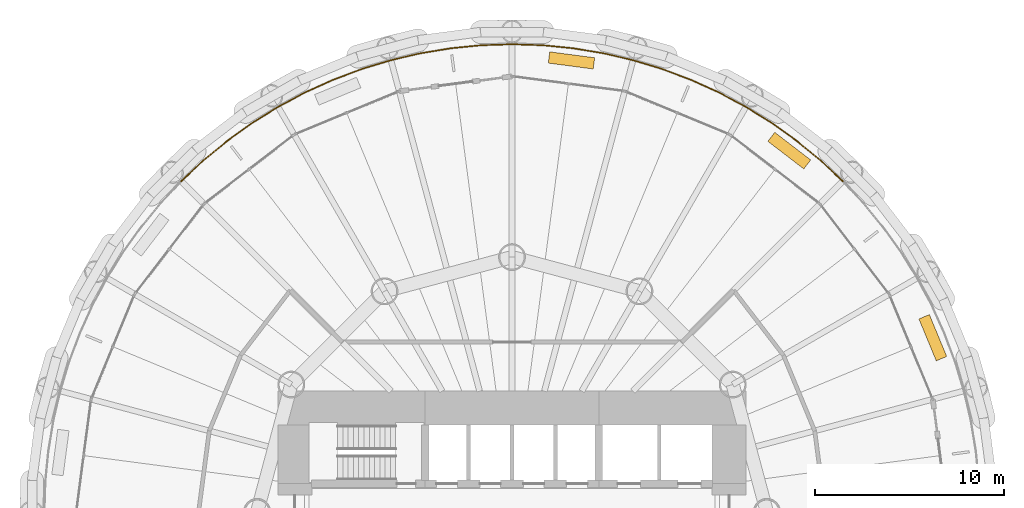
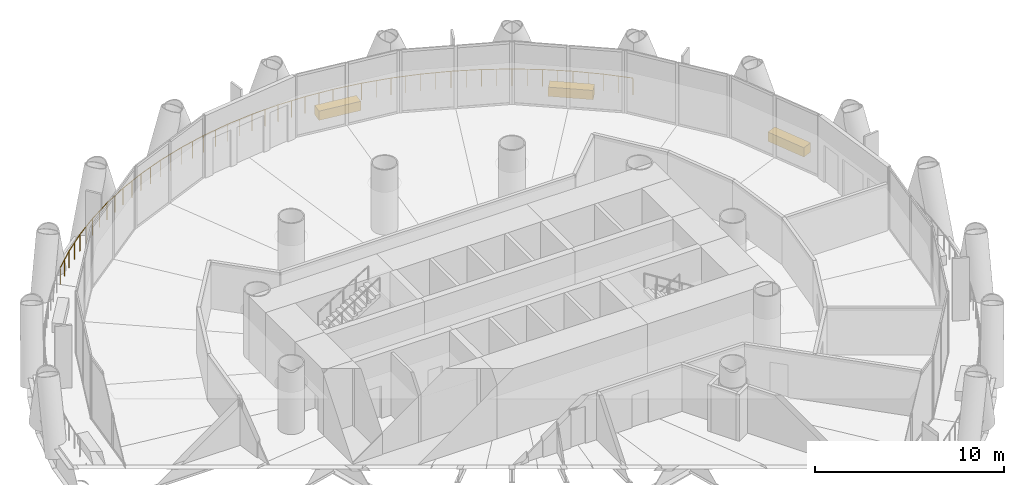
# One storey, part 16 of 16: 3 coverings, 1 railing.
"""IFC4 building model written with IfcOpenShell, lengths in metres."""

from ifc_helpers import new_model, si_unit, direction, frame, origin, origin_2d, place, context, subcontext, project, spatial, rectangle, circle, extrude, material, layer, layer_set, type_object, element, save


model = new_model("IFC4")

# Units and contexts
model_context = context("Model", 3, precision=1e-05, world=origin(), true_north=direction((0.0, 1.0)))
body_context = subcontext(model_context, "Body", "Model", "MODEL_VIEW")
ifc_project = project(units=[si_unit("LENGTHUNIT", "METRE"), si_unit("AREAUNIT", "SQUARE_METRE"), si_unit("VOLUMEUNIT", "CUBIC_METRE"), si_unit("PLANEANGLEUNIT", "RADIAN"), si_unit("MASSUNIT", "GRAM", prefix="KILO")], contexts=[model_context])

# Site, building, storey
site_placement = place(None, origin())
site = spatial("IfcSite", under=ifc_project, at=site_placement, CompositionType="ELEMENT")
building_placement = place(site_placement, origin())
building = spatial("IfcBuilding", under=site, at=building_placement, Name="Qaws Media Tower", CompositionType="ELEMENT")
storey_placement = place(building_placement, frame((0.0, 0.0, 89.0)))
storey = spatial("IfcBuildingStorey", under=building, at=storey_placement, Name="L19", CompositionType="ELEMENT", Elevation=89.0)

# Railing
ifc_material_1 = material(Name="Stainless steel and glass guard", Category="steel")
railing_type = type_object("IfcRailingType", Name="Balcony guard 1100", PredefinedType="GUARDRAIL", material=ifc_material_1)
railing_placement = place(storey_placement, frame((77.5185546875, 67.5185546875, 0.0)))
element("IfcRailing", 1, at=railing_placement, inside=storey, type_object=railing_type, Name="GR1 balcony guard L19-1", PredefinedType="GUARDRAIL", context=body_context, shape_type="SweptSolid", body=[
    extrude(circle(Radius=0.02392578125, at=origin_2d()), frame((0.0, 0.0, 1.076171875), z_axis=(-0.729917483807, 0.683535271096, 0.0), x_axis=(-0.683535271096, -0.729917483807, 0.0)), (0.0, 0.0, 1.0), 1.62109375),
    extrude(circle(Radius=0.02392578125, at=origin_2d()), frame((-1.183349609375, 1.108154296875, 1.076171875), z_axis=(-0.772976794786, 0.634434295039, 0.0), x_axis=(-0.634434295039, -0.772976794786, 0.0)), (0.0, 0.0, 1.0), 1.621337890625),
    extrude(circle(Radius=0.02392578125, at=origin_2d()), frame((-2.4365234375, 2.13671875, 1.076171875), z_axis=(-0.81285752848, 0.582462563942, 0.0), x_axis=(-0.582462563942, -0.81285752848, 0.0)), (0.0, 0.0, 1.0), 1.621337890625),
    extrude(circle(Radius=0.02392578125, at=origin_2d()), frame((-3.75439453125, 3.0810546875, 1.076171875), z_axis=(-0.849172165578, 0.528116117163, 0.0), x_axis=(-0.528116117163, -0.849172165578, 0.0)), (0.0, 0.0, 1.0), 1.621337890625),
    extrude(circle(Radius=0.02392578125, at=origin_2d()), frame((-5.131103515625, 3.937255859375, 1.076171875), z_axis=(-0.881927350788, 0.471385349721, 0.0), x_axis=(-0.471385349721, -0.881927350788, 0.0)), (0.0, 0.0, 1.0), 1.62109375),
    extrude(circle(Radius=0.02392578125, at=origin_2d()), frame((-6.560791015625, 4.701416015625, 1.076171875), z_axis=(-0.910850592512, 0.412736233109, 0.0), x_axis=(-0.412736233109, -0.910850592512, 0.0)), (0.0, 0.0, 1.0), 1.621337890625),
    extrude(circle(Radius=0.02392578125, at=origin_2d()), frame((-8.03759765625, 5.37060546875, 1.076171875), z_axis=(-0.93591388781, 0.352228895187, 0.0), x_axis=(-0.352228895187, -0.93591388781, 0.0)), (0.0, 0.0, 1.0), 1.621337890625),
    extrude(circle(Radius=0.02392578125, at=origin_2d()), frame((-9.554931640625, 5.941650390625, 1.076171875), z_axis=(-0.956917944121, 0.290358482258, 0.0), x_axis=(-0.290358482258, -0.956917944121, 0.0)), (0.0, 0.0, 1.0), 1.62109375),
    extrude(circle(Radius=0.02392578125, at=origin_2d()), frame((-11.106201171875, 6.412353515625, 1.076171875), z_axis=(-0.973881177198, 0.227058258382, 0.0), x_axis=(-0.227058258382, -0.973881177198, 0.0)), (0.0, 0.0, 1.0), 1.621337890625),
    extrude(circle(Radius=0.02392578125, at=origin_2d()), frame((-12.685302734375, 6.780517578125, 1.076171875), z_axis=(-0.986657234444, 0.162811245678, 0.0), x_axis=(-0.162811245678, -0.986657234444, 0.0)), (0.0, 0.0, 1.0), 1.62109375),
    extrude(circle(Radius=0.02392578125, at=origin_2d()), frame((-14.28466796875, 7.04443359375, 1.076171875), z_axis=(-0.995183693802, 0.09802762667, 0.0), x_axis=(-0.09802762667, -0.995183693802, 0.0)), (0.0, 0.0, 1.0), 1.621337890625),
    extrude(circle(Radius=0.02392578125, at=origin_2d()), frame((-15.898193359375, 7.203369140625, 1.076171875), z_axis=(-0.999465930455, 0.032678033284, 0.0), x_axis=(-0.032678033284, -0.999465930455, 0.0)), (0.0, 0.0, 1.0), 1.621337890625),
    extrude(circle(Radius=0.02392578125, at=origin_2d()), frame((-17.5185546875, 7.25634765625, 1.076171875), z_axis=(-0.999465930455, -0.032678033284, 0.0), x_axis=(0.032678033284, -0.999465930455, 0.0)), (0.0, 0.0, 1.0), 1.621337890625),
    extrude(circle(Radius=0.02392578125, at=origin_2d()), frame((-19.138916015625, 7.203369140625, 1.076171875), z_axis=(-0.995183693802, -0.09802762667, 0.0), x_axis=(0.09802762667, -0.995183693802, 0.0)), (0.0, 0.0, 1.0), 1.621337890625),
    extrude(circle(Radius=0.02392578125, at=origin_2d()), frame((-20.75244140625, 7.04443359375, 1.076171875), z_axis=(-0.986657234444, -0.162811245678, 0.0), x_axis=(0.162811245678, -0.986657234444, 0.0)), (0.0, 0.0, 1.0), 1.62109375),
    extrude(circle(Radius=0.02392578125, at=origin_2d()), frame((-22.351806640625, 6.780517578125, 1.076171875), z_axis=(-0.973881177198, -0.227058258382, 0.0), x_axis=(0.227058258382, -0.973881177198, 0.0)), (0.0, 0.0, 1.0), 1.621337890625),
    extrude(circle(Radius=0.02392578125, at=origin_2d()), frame((-23.930908203125, 6.412353515625, 1.076171875), z_axis=(-0.956917944121, -0.290358482258, 0.0), x_axis=(0.290358482258, -0.956917944121, 0.0)), (0.0, 0.0, 1.0), 1.62109375),
    extrude(circle(Radius=0.02392578125, at=origin_2d()), frame((-25.482177734375, 5.941650390625, 1.076171875), z_axis=(-0.93591388781, -0.352228895187, 0.0), x_axis=(0.352228895187, -0.93591388781, 0.0)), (0.0, 0.0, 1.0), 1.621337890625),
    extrude(circle(Radius=0.02392578125, at=origin_2d()), frame((-26.99951171875, 5.37060546875, 1.076171875), z_axis=(-0.910850592512, -0.412736233109, 0.0), x_axis=(0.412736233109, -0.910850592512, 0.0)), (0.0, 0.0, 1.0), 1.621337890625),
    extrude(circle(Radius=0.02392578125, at=origin_2d()), frame((-28.476318359375, 4.701416015625, 1.076171875), z_axis=(-0.881927350788, -0.471385349721, 0.0), x_axis=(0.471385349721, -0.881927350788, 0.0)), (0.0, 0.0, 1.0), 1.62109375),
    extrude(circle(Radius=0.02392578125, at=origin_2d()), frame((-29.906005859375, 3.937255859375, 1.076171875), z_axis=(-0.849172165578, -0.528116117163, 0.0), x_axis=(0.528116117163, -0.849172165578, 0.0)), (0.0, 0.0, 1.0), 1.621337890625),
    extrude(circle(Radius=0.02392578125, at=origin_2d()), frame((-31.28271484375, 3.0810546875, 1.076171875), z_axis=(-0.81285752848, -0.582462563942, 0.0), x_axis=(0.582462563942, -0.81285752848, 0.0)), (0.0, 0.0, 1.0), 1.621337890625),
    extrude(circle(Radius=0.02392578125, at=origin_2d()), frame((-32.6005859375, 2.13671875, 1.076171875), z_axis=(-0.772976794786, -0.634434295039, 0.0), x_axis=(0.634434295039, -0.772976794786, 0.0)), (0.0, 0.0, 1.0), 1.621337890625),
    extrude(circle(Radius=0.02392578125, at=origin_2d()), frame((-33.853759765625, 1.108154296875, 1.076171875), z_axis=(-0.729917483807, -0.683535271096, 0.0), x_axis=(0.683535271096, -0.729917483807, 0.0)), (0.0, 0.0, 1.0), 1.62109375),
    extrude(circle(Radius=0.02099609375, at=origin_2d()), origin(), (0.0, 0.0, 1.0), 1.052001953125),
    extrude(circle(Radius=0.02099609375, at=origin_2d()), frame((-0.591796875, 0.55419921875, 0.0)), (0.0, 0.0, 1.0), 1.052001953125),
    extrude(circle(Radius=0.02099609375, at=origin_2d()), frame((-1.183349609375, 1.108154296875, 0.0)), (0.0, 0.0, 1.0), 1.052001953125),
    extrude(circle(Radius=0.02099609375, at=origin_2d()), frame((-1.81005859375, 1.62255859375, 0.0)), (0.0, 0.0, 1.0), 1.052001953125),
    extrude(circle(Radius=0.02099609375, at=origin_2d()), frame((-2.4365234375, 2.13671875, 0.0)), (0.0, 0.0, 1.0), 1.052001953125),
    extrude(circle(Radius=0.02099609375, at=origin_2d()), frame((-3.095458984375, 2.60888671875, 0.0)), (0.0, 0.0, 1.0), 1.052001953125),
    extrude(circle(Radius=0.02099609375, at=origin_2d()), frame((-3.75439453125, 3.0810546875, 0.0)), (0.0, 0.0, 1.0), 1.052001953125),
    extrude(circle(Radius=0.02099609375, at=origin_2d()), frame((-4.44287109375, 3.50927734375, 0.0)), (0.0, 0.0, 1.0), 1.052001953125),
    extrude(circle(Radius=0.02099609375, at=origin_2d()), frame((-5.131103515625, 3.937255859375, 0.0)), (0.0, 0.0, 1.0), 1.052001953125),
    extrude(circle(Radius=0.02099609375, at=origin_2d()), frame((-5.845947265625, 4.3193359375, 0.0)), (0.0, 0.0, 1.0), 1.052001953125),
    extrude(circle(Radius=0.02099609375, at=origin_2d()), frame((-6.560791015625, 4.701416015625, 0.0)), (0.0, 0.0, 1.0), 1.052001953125),
    extrude(circle(Radius=0.02099609375, at=origin_2d()), frame((-7.29931640625, 5.0361328125, 0.0)), (0.0, 0.0, 1.0), 1.052001953125),
    extrude(circle(Radius=0.02099609375, at=origin_2d()), frame((-8.03759765625, 5.37060546875, 0.0)), (0.0, 0.0, 1.0), 1.052001953125),
    extrude(circle(Radius=0.02099609375, at=origin_2d()), frame((-8.79638671875, 5.65625, 0.0)), (0.0, 0.0, 1.0), 1.052001953125),
    extrude(circle(Radius=0.02099609375, at=origin_2d()), frame((-9.554931640625, 5.941650390625, 0.0)), (0.0, 0.0, 1.0), 1.052001953125),
    extrude(circle(Radius=0.02099609375, at=origin_2d()), frame((-10.33056640625, 6.177001953125, 0.0)), (0.0, 0.0, 1.0), 1.052001953125),
    extrude(circle(Radius=0.02099609375, at=origin_2d()), frame((-11.106201171875, 6.412353515625, 0.0)), (0.0, 0.0, 1.0), 1.052001953125),
    extrude(circle(Radius=0.02099609375, at=origin_2d()), frame((-11.895751953125, 6.596435546875, 0.0)), (0.0, 0.0, 1.0), 1.052001953125),
    extrude(circle(Radius=0.02099609375, at=origin_2d()), frame((-12.685302734375, 6.780517578125, 0.0)), (0.0, 0.0, 1.0), 1.052001953125),
    extrude(circle(Radius=0.02099609375, at=origin_2d()), frame((-13.48486328125, 6.91259765625, 0.0)), (0.0, 0.0, 1.0), 1.052001953125),
    extrude(circle(Radius=0.02099609375, at=origin_2d()), frame((-14.28466796875, 7.04443359375, 0.0)), (0.0, 0.0, 1.0), 1.052001953125),
    extrude(circle(Radius=0.02099609375, at=origin_2d()), frame((-15.09130859375, 7.1240234375, 0.0)), (0.0, 0.0, 1.0), 1.052001953125),
    extrude(circle(Radius=0.02099609375, at=origin_2d()), frame((-15.898193359375, 7.203369140625, 0.0)), (0.0, 0.0, 1.0), 1.052001953125),
    extrude(circle(Radius=0.02099609375, at=origin_2d()), frame((-16.70849609375, 7.22998046875, 0.0)), (0.0, 0.0, 1.0), 1.052001953125),
    extrude(circle(Radius=0.02099609375, at=origin_2d()), frame((-17.5185546875, 7.25634765625, 0.0)), (0.0, 0.0, 1.0), 1.052001953125),
    extrude(circle(Radius=0.02099609375, at=origin_2d()), frame((-18.32861328125, 7.22998046875, 0.0)), (0.0, 0.0, 1.0), 1.052001953125),
    extrude(circle(Radius=0.02099609375, at=origin_2d()), frame((-19.138916015625, 7.203369140625, 0.0)), (0.0, 0.0, 1.0), 1.052001953125),
    extrude(circle(Radius=0.02099609375, at=origin_2d()), frame((-19.94580078125, 7.1240234375, 0.0)), (0.0, 0.0, 1.0), 1.052001953125),
    extrude(circle(Radius=0.02099609375, at=origin_2d()), frame((-20.75244140625, 7.04443359375, 0.0)), (0.0, 0.0, 1.0), 1.052001953125),
    extrude(circle(Radius=0.02099609375, at=origin_2d()), frame((-21.55224609375, 6.91259765625, 0.0)), (0.0, 0.0, 1.0), 1.052001953125),
    extrude(circle(Radius=0.02099609375, at=origin_2d()), frame((-22.351806640625, 6.780517578125, 0.0)), (0.0, 0.0, 1.0), 1.052001953125),
    extrude(circle(Radius=0.02099609375, at=origin_2d()), frame((-23.141357421875, 6.596435546875, 0.0)), (0.0, 0.0, 1.0), 1.052001953125),
    extrude(circle(Radius=0.02099609375, at=origin_2d()), frame((-23.930908203125, 6.412353515625, 0.0)), (0.0, 0.0, 1.0), 1.052001953125),
    extrude(circle(Radius=0.02099609375, at=origin_2d()), frame((-24.70654296875, 6.177001953125, 0.0)), (0.0, 0.0, 1.0), 1.052001953125),
    extrude(circle(Radius=0.02099609375, at=origin_2d()), frame((-25.482177734375, 5.941650390625, 0.0)), (0.0, 0.0, 1.0), 1.052001953125),
    extrude(circle(Radius=0.02099609375, at=origin_2d()), frame((-26.24072265625, 5.65625, 0.0)), (0.0, 0.0, 1.0), 1.052001953125),
    extrude(circle(Radius=0.02099609375, at=origin_2d()), frame((-26.99951171875, 5.37060546875, 0.0)), (0.0, 0.0, 1.0), 1.052001953125),
    extrude(circle(Radius=0.02099609375, at=origin_2d()), frame((-27.73779296875, 5.0361328125, 0.0)), (0.0, 0.0, 1.0), 1.052001953125),
    extrude(circle(Radius=0.02099609375, at=origin_2d()), frame((-28.476318359375, 4.701416015625, 0.0)), (0.0, 0.0, 1.0), 1.052001953125),
    extrude(circle(Radius=0.02099609375, at=origin_2d()), frame((-29.191162109375, 4.3193359375, 0.0)), (0.0, 0.0, 1.0), 1.052001953125),
    extrude(circle(Radius=0.02099609375, at=origin_2d()), frame((-29.906005859375, 3.937255859375, 0.0)), (0.0, 0.0, 1.0), 1.052001953125),
    extrude(circle(Radius=0.02099609375, at=origin_2d()), frame((-30.59423828125, 3.50927734375, 0.0)), (0.0, 0.0, 1.0), 1.052001953125),
    extrude(circle(Radius=0.02099609375, at=origin_2d()), frame((-31.28271484375, 3.0810546875, 0.0)), (0.0, 0.0, 1.0), 1.052001953125),
    extrude(circle(Radius=0.02099609375, at=origin_2d()), frame((-31.941650390625, 2.60888671875, 0.0)), (0.0, 0.0, 1.0), 1.052001953125),
    extrude(circle(Radius=0.02099609375, at=origin_2d()), frame((-32.6005859375, 2.13671875, 0.0)), (0.0, 0.0, 1.0), 1.052001953125),
    extrude(circle(Radius=0.02099609375, at=origin_2d()), frame((-33.22705078125, 1.62255859375, 0.0)), (0.0, 0.0, 1.0), 1.052001953125),
    extrude(circle(Radius=0.02099609375, at=origin_2d()), frame((-33.853759765625, 1.108154296875, 0.0)), (0.0, 0.0, 1.0), 1.052001953125),
    extrude(circle(Radius=0.02099609375, at=origin_2d()), frame((-34.4453125, 0.55419921875, 0.0)), (0.0, 0.0, 1.0), 1.052001953125),
    extrude(circle(Radius=0.02099609375, at=origin_2d()), frame((-35.037109375, 0.0, 0.0)), (0.0, 0.0, 1.0), 1.052001953125),
])

# Coverings
ifc_material_2 = material(Name="Precast concrete planter with trailing planting", Category="concrete")
ifc_layer = layer(ifc_material_2, 0.60009765625)
ifc_layer_set = layer_set([ifc_layer], Name="Planter 2400x600")
covering_type = type_object("IfcCoveringType", Name="Planter 2400x600", PredefinedType="USERDEFINED", material=ifc_layer_set)
for number, where, z_axis, x_axis, name in (
    (2, (82.28857421875, 59.232177734375, 0.0), (0.0, 0.0, 1.0), (-0.382683432365, 0.923879532511, 0.0), "PL1 balcony planter L19-01"),
    (3, (74.686279296875, 69.1396484375, 0.0), (0.0, 0.0, 1.0), (-0.793353340291, 0.608761429009, 0.0), "PL1 balcony planter L19-02"),
    (4, (63.14892578125, 73.918701171875, 0.0), (0.0, 0.0, 1.0), (-0.991444861374, 0.13052619222, 0.0), "PL1 balcony planter L19-03"),
):
    element("IfcCovering", number, at=place(storey_placement, frame(where, z_axis=z_axis, x_axis=x_axis)), inside=storey, type_object=covering_type, Name=name, ObjectType="PLANTER", PredefinedType="USERDEFINED", context=body_context, shape_type="SweptSolid", body=[
        extrude(rectangle(XDim=2.39990234375, YDim=0.60009765625, at=origin_2d()), origin(), (0.0, 0.0, 1.0), 0.60009765625),
    ])

save(model, "model.ifc")
